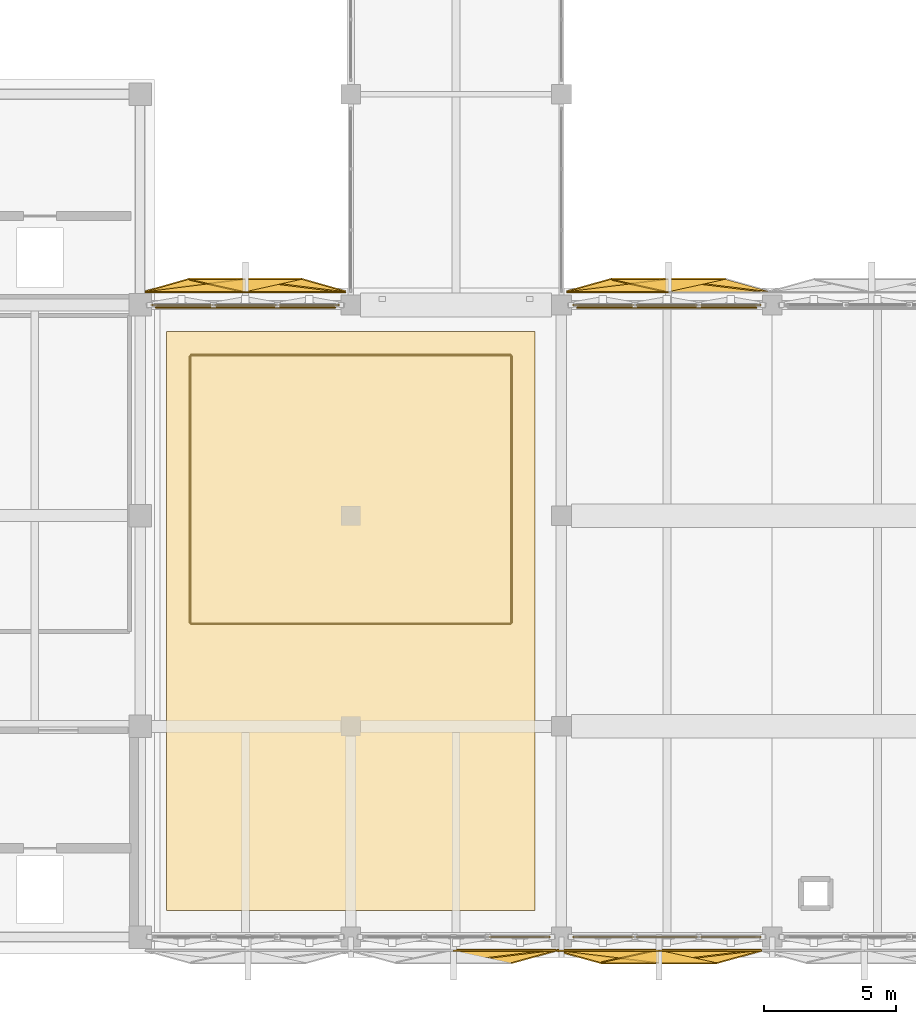
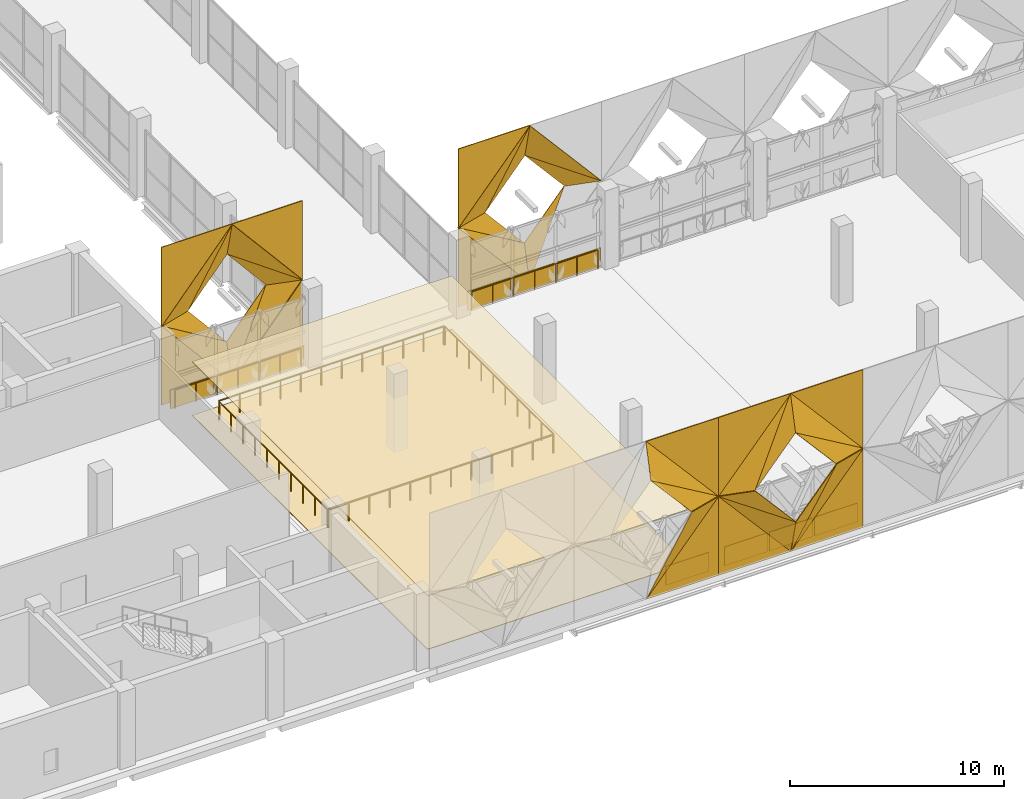
# One storey, part 44 of 53: 50 coverings, 6 railings.
"""IFC4 building model written with IfcOpenShell, lengths in metres."""

from ifc_helpers import new_model, si_unit, direction, frame, origin, origin_2d, place, context, subcontext, project, spatial, polyline, rectangle, circle, outline, extrude, material, layer, layer_set, type_object, element, save


model = new_model("IFC4")

# Units and contexts
model_context = context("Model", 3, precision=1e-05, world=origin(), true_north=direction((0.0, 1.0)))
body_context = subcontext(model_context, "Body", "Model", "MODEL_VIEW")
ifc_project = project(units=[si_unit("LENGTHUNIT", "METRE"), si_unit("AREAUNIT", "SQUARE_METRE"), si_unit("VOLUMEUNIT", "CUBIC_METRE"), si_unit("PLANEANGLEUNIT", "RADIAN"), si_unit("MASSUNIT", "GRAM", prefix="KILO")], contexts=[model_context])

# Site, building, storey
site_placement = place(None, origin())
site = spatial("IfcSite", under=ifc_project, at=site_placement, CompositionType="ELEMENT")
building_placement = place(site_placement, origin())
building = spatial("IfcBuilding", under=site, at=building_placement, Name="Qorikala Patio Media Centre", CompositionType="ELEMENT")
storey_placement = place(building_placement, frame((0.0, 0.0, 5.39990234375)))
storey = spatial("IfcBuildingStorey", under=building, at=storey_placement, Name="L01", CompositionType="ELEMENT", Elevation=5.39990234375)

# Coverings
ifc_material_1 = material(Name="Perforated Andean Timber Acoustic Ceiling", Category="wood")
ifc_layer_1 = layer(ifc_material_1, 0.0400390625)
ifc_layer_set_1 = layer_set([ifc_layer_1], Name="Perforated Andean Timber Acoustic Ceiling")
covering_type_1 = type_object("IfcCoveringType", Name="COV-CEIL-AC", PredefinedType="CEILING", material=ifc_layer_set_1)
covering_1_placement = place(storey_placement, frame((0.0, 0.0, 3.050048828125)))
element("IfcCovering", 1, at=covering_1_placement, inside=storey, type_object=covering_type_1, Name="L01 Acoustic Timber Ceiling 03", PredefinedType="CEILING", context=body_context, shape_type="SweptSolid", body=[
    extrude(outline(polyline([(44.0, 4.0), (58.0, 4.0), (58.0, 26.0), (44.0, 26.0), (44.0, 4.0)])), origin(), (0.0, 0.0, 1.0), 0.0400390625),
])
ifc_material_2 = material(Name="Golden Bronze Anodised Aluminium Panel", Category="aluminium")
ifc_layer_2 = layer(ifc_material_2, 0.044921875)
ifc_layer_set_2 = layer_set([ifc_layer_2], Name="Golden Bronze Anodised Aluminium Panel")
covering_type_2 = type_object("IfcCoveringType", Name="COV-CLAD-GOLD", PredefinedType="CLADDING", material=ifc_layer_set_2)
for number, where, z_axis, x_axis, name in (
    (2, (44.5732421875, 27.0, 0.0), (0.0, 0.0, 1.0), (1.0, 0.0, 0.0), "L01 Golden Diamond Fold Spandrel 007"),
    (3, (47.0, 27.0, 0.0), (0.0, 0.0, 1.0), (1.0, 0.0, 0.0), "L01 Golden Diamond Fold Spandrel 008"),
    (4, (49.4267578125, 27.0, 0.0), (0.0, 0.0, 1.0), (1.0, 0.0, 0.0), "L01 Golden Diamond Fold Spandrel 009"),
    (5, (60.5732421875, 27.0, 0.0), (0.0, 0.0, 1.0), (1.0, 0.0, 0.0), "L01 Golden Diamond Fold Spandrel 010"),
    (6, (63.0, 27.0, 0.0), (0.0, 0.0, 1.0), (1.0, 0.0, 0.0), "L01 Golden Diamond Fold Spandrel 011"),
    (7, (65.4267578125, 27.0, 0.0), (0.0, 0.0, 1.0), (1.0, 0.0, 0.0), "L01 Golden Diamond Fold Spandrel 012"),
    (8, (65.4267578125, 3.0, 0.0), (0.0, 0.0, 1.0), (-1.0, 0.0, 0.0), "L01 Golden Diamond Fold Spandrel 031"),
    (9, (63.0, 3.0, 0.0), (0.0, 0.0, 1.0), (-1.0, 0.0, 0.0), "L01 Golden Diamond Fold Spandrel 032"),
    (10, (60.5732421875, 3.0, 0.0), (0.0, 0.0, 1.0), (-1.0, 0.0, 0.0), "L01 Golden Diamond Fold Spandrel 033"),
    (11, (57.4267578125, 3.0, 0.0), (0.0, 0.0, 1.0), (-1.0, 0.0, 0.0), "L01 Golden Diamond Fold Spandrel 034"),
):
    element("IfcCovering", number, at=place(storey_placement, frame(where, z_axis=z_axis, x_axis=x_axis)), inside=storey, type_object=covering_type_2, Name=name, PredefinedType="CLADDING", context=body_context, shape_type="SweptSolid", body=[
        extrude(rectangle(XDim=2.32666015625, YDim=0.044921875, at=origin_2d()), origin(), (0.0, 0.0, 1.0), 1.077880859375),
    ])
covering_2_placement = place(storey_placement, frame((58.800048828125, 2.5, 4.5), z_axis=(0.259958417044, -0.938966952181, 0.22530575696), x_axis=(-0.654944585876, 0.0, 0.755676908098)))
element("IfcCovering", 12, at=covering_2_placement, inside=storey, type_object=covering_type_2, Name="Golden Folded Diamond Facet S-1.2.TRA", PredefinedType="CLADDING", context=body_context, shape_type="SweptSolid", body=[
    extrude(outline(polyline([(0.0, 0.0), (5.954925910503226, 0.0), (4.458700391784378, 1.3810682954655882), (0.0, 0.0)])), origin(), (0.0, 0.0, -1.0), 0.044921875),
])
covering_3_placement = place(storey_placement, frame((58.800048828125, 2.5, 4.5), z_axis=(0.259956258476, -0.938968417692, 0.225302139927), x_axis=(-0.835561894446, -0.101784253308, 0.539885438152)))
element("IfcCovering", 13, at=covering_3_placement, inside=storey, type_object=covering_type_2, Name="Golden Folded Diamond Facet S-1.2.TRB", PredefinedType="CLADDING", context=body_context, shape_type="SweptSolid", body=[
    extrude(outline(polyline([(0.0, 0.0), (4.667693094071031, 8.881784197001252e-16), (1.4822355256344402, 0.9866979460810914), (0.0, 0.0)])), origin(), (0.0, 0.0, -1.0), 0.044921875),
])
covering_4_placement = place(storey_placement, frame((54.89990234375, 2.5, 0.0), z_axis=(-0.259956156203, 0.938968048279, 0.22530379749), x_axis=(0.654944585876, 0.0, 0.755676908098)))
element("IfcCovering", 14, at=covering_4_placement, inside=storey, type_object=covering_type_2, Name="Golden Folded Diamond Facet S-1.2.BRA", PredefinedType="CLADDING", context=body_context, shape_type="SweptSolid", body=[
    extrude(outline(polyline([(0.0, 0.0), (5.954925910503226, 0.0), (4.830998787915266, -1.3810803066312252), (0.0, 0.0)])), origin(), (0.0, 0.0, -1.0), 0.044921875),
])
covering_5_placement = place(storey_placement, frame((58.800048828125, 2.5, 9.0), z_axis=(0.0, 1.0, 0.0), x_axis=(0.0, 0.0, -1.0)))
element("IfcCovering", 15, at=covering_5_placement, inside=storey, type_object=covering_type_2, Name="Golden Diamond Valley Spandrel S-1.2.CTR", PredefinedType="CLADDING", context=body_context, shape_type="SweptSolid", body=[
    extrude(outline(polyline([(0.0, 0.0), (4.5, 0.0), (0.0, 3.900146484375), (0.0, 0.0)])), origin(), (0.0, 0.0, -1.0), 0.044921875),
])
covering_6_placement = place(storey_placement, frame((58.800048828125, 2.5, 0.0), z_axis=(0.0, 1.0, 0.0), x_axis=(-1.0, 0.0, 0.0)))
element("IfcCovering", 16, at=covering_6_placement, inside=storey, type_object=covering_type_2, Name="Golden Diamond Valley Spandrel S-1.2.CBR", PredefinedType="CLADDING", context=body_context, shape_type="SweptSolid", body=[
    extrude(outline(polyline([(0.0, 0.0), (3.900146484375, 0.0), (0.0, 4.5), (0.0, 0.0)])), origin(), (0.0, 0.0, -1.0), 0.044921875),
])
covering_7_placement = place(storey_placement, frame((62.699951171875, 2.5, 9.0), z_axis=(-0.259956982212, -0.938971031843, 0.225290409823), x_axis=(-0.654921173069, 0.0, -0.755697199324)))
element("IfcCovering", 17, at=covering_7_placement, inside=storey, type_object=covering_type_2, Name="Golden Folded Diamond Facet S-1.3.TLA", PredefinedType="CLADDING", context=body_context, shape_type="SweptSolid", body=[
    extrude(outline(polyline([(0.0, 0.0), (5.9547660147806605, 4.440892098500626e-16), (4.830879070078474, 1.38111300253869), (0.0, 0.0)])), origin(), (0.0, 0.0, -1.0), 0.044921875),
])
covering_8_placement = place(storey_placement, frame((62.699951171875, 2.5, 9.0), z_axis=(-0.259987393467, -0.938959366186, 0.225303936695), x_axis=(-0.434644175798, -0.094557581454, -0.895624533069)))
element("IfcCovering", 18, at=covering_8_placement, inside=storey, type_object=covering_type_2, Name="Golden Folded Diamond Facet S-1.3.TLB", PredefinedType="CLADDING", context=body_context, shape_type="SweptSolid", body=[
    extrude(outline(polyline([(0.0, 0.0), (5.02442690418556, 2.220446049250313e-16), (1.8182431681390123, 0.9165327168855022), (0.0, 0.0)])), origin(), (0.0, 0.0, -1.0), 0.044921875),
])
covering_9_placement = place(storey_placement, frame((66.60009765625, 2.5, 4.5), z_axis=(0.259958417044, -0.938966952181, 0.22530575696), x_axis=(-0.654944585876, 0.0, 0.755676908098)))
element("IfcCovering", 19, at=covering_9_placement, inside=storey, type_object=covering_type_2, Name="Golden Folded Diamond Facet S-1.3.TRA", PredefinedType="CLADDING", context=body_context, shape_type="SweptSolid", body=[
    extrude(outline(polyline([(0.0, 0.0), (5.954925910503226, 0.0), (4.458700391784378, 1.3810682954655882), (0.0, 0.0)])), origin(), (0.0, 0.0, -1.0), 0.044921875),
])
covering_10_placement = place(storey_placement, frame((66.60009765625, 2.5, 4.5), z_axis=(0.259956258476, -0.938968417692, 0.225302139927), x_axis=(-0.835561894446, -0.101784253308, 0.539885438152)))
element("IfcCovering", 20, at=covering_10_placement, inside=storey, type_object=covering_type_2, Name="Golden Folded Diamond Facet S-1.3.TRB", PredefinedType="CLADDING", context=body_context, shape_type="SweptSolid", body=[
    extrude(outline(polyline([(0.0, 0.0), (4.667693094071031, 8.881784197001252e-16), (1.4822355256344402, 0.9866979460810914), (0.0, 0.0)])), origin(), (0.0, 0.0, -1.0), 0.044921875),
])
covering_11_placement = place(storey_placement, frame((62.699951171875, 2.5, 0.0), z_axis=(-0.259956156203, 0.938968048279, 0.22530379749), x_axis=(0.654944585876, 0.0, 0.755676908098)))
element("IfcCovering", 21, at=covering_11_placement, inside=storey, type_object=covering_type_2, Name="Golden Folded Diamond Facet S-1.3.BRA", PredefinedType="CLADDING", context=body_context, shape_type="SweptSolid", body=[
    extrude(outline(polyline([(0.0, 0.0), (5.954925910503226, 0.0), (4.830998787915266, -1.3810803066312252), (0.0, 0.0)])), origin(), (0.0, 0.0, -1.0), 0.044921875),
])
covering_12_placement = place(storey_placement, frame((62.699951171875, 2.5, 0.0), z_axis=(-0.259960295692, 0.938966460381, 0.225305638952), x_axis=(0.434683585743, -0.094555584379, 0.895605617305)))
element("IfcCovering", 22, at=covering_12_placement, inside=storey, type_object=covering_type_2, Name="Golden Folded Diamond Facet S-1.3.BRB", PredefinedType="CLADDING", context=body_context, shape_type="SweptSolid", body=[
    extrude(outline(polyline([(0.0, 0.0), (5.024533023297128, 0.0), (1.8182047664907954, -0.9166088951760534), (0.0, 0.0)])), origin(), (0.0, 0.0, -1.0), 0.044921875),
])
covering_13_placement = place(storey_placement, frame((58.800048828125, 2.5, 4.5), z_axis=(0.259973591034, 0.938962979761, 0.225304803775), x_axis=(0.654921173069, 0.0, -0.755697199324)))
element("IfcCovering", 23, at=covering_13_placement, inside=storey, type_object=covering_type_2, Name="Golden Folded Diamond Facet S-1.3.BLA", PredefinedType="CLADDING", context=body_context, shape_type="SweptSolid", body=[
    extrude(outline(polyline([(0.0, 0.0), (5.9547660147806605, 4.440892098500626e-16), (4.458500319829892, -1.3810247679600853), (0.0, 0.0)])), origin(), (0.0, 0.0, -1.0), 0.044921875),
])
covering_14_placement = place(storey_placement, frame((58.800048828125, 2.5, 4.5), z_axis=(0.25995773344, 0.938973745299, 0.225278233445), x_axis=(0.83554610606, -0.10178870179, -0.539909033852)))
element("IfcCovering", 24, at=covering_14_placement, inside=storey, type_object=covering_type_2, Name="Golden Folded Diamond Facet S-1.3.BLB", PredefinedType="CLADDING", context=body_context, shape_type="SweptSolid", body=[
    extrude(outline(polyline([(0.0, 0.0), (4.667489101395145, 4.440892098500626e-16), (1.4822105452103993, -0.9867354710967576), (0.0, 0.0)])), origin(), (0.0, 0.0, -1.0), 0.044921875),
])
covering_15_placement = place(storey_placement, frame((58.800048828125, 2.5, 9.0), z_axis=(0.0, 1.0, 0.0), x_axis=(1.0, 0.0, 0.0)))
element("IfcCovering", 25, at=covering_15_placement, inside=storey, type_object=covering_type_2, Name="Golden Diamond Valley Spandrel S-1.3.CTL", PredefinedType="CLADDING", context=body_context, shape_type="SweptSolid", body=[
    extrude(outline(polyline([(0.0, 0.0), (3.89990234375, 0.0), (0.0, 4.5), (0.0, 0.0)])), origin(), (0.0, 0.0, -1.0), 0.044921875),
])
covering_16_placement = place(storey_placement, frame((66.60009765625, 2.5, 9.0), z_axis=(0.0, 1.0, 0.0), x_axis=(0.0, 0.0, -1.0)))
element("IfcCovering", 26, at=covering_16_placement, inside=storey, type_object=covering_type_2, Name="Golden Diamond Valley Spandrel S-1.3.CTR", PredefinedType="CLADDING", context=body_context, shape_type="SweptSolid", body=[
    extrude(outline(polyline([(0.0, 0.0), (4.5, 0.0), (0.0, 3.900146484375), (0.0, 0.0)])), origin(), (0.0, 0.0, -1.0), 0.044921875),
])
covering_17_placement = place(storey_placement, frame((66.60009765625, 2.5, 0.0), z_axis=(0.0, 1.0, 0.0), x_axis=(-1.0, 0.0, 0.0)))
element("IfcCovering", 27, at=covering_17_placement, inside=storey, type_object=covering_type_2, Name="Golden Diamond Valley Spandrel S-1.3.CBR", PredefinedType="CLADDING", context=body_context, shape_type="SweptSolid", body=[
    extrude(outline(polyline([(0.0, 0.0), (3.900146484375, 0.0), (0.0, 4.5), (0.0, 0.0)])), origin(), (0.0, 0.0, -1.0), 0.044921875),
])
covering_18_placement = place(storey_placement, frame((58.800048828125, 2.5, 0.0), z_axis=(0.0, 1.0, 0.0), x_axis=(0.0, 0.0, 1.0)))
element("IfcCovering", 28, at=covering_18_placement, inside=storey, type_object=covering_type_2, Name="Golden Diamond Valley Spandrel S-1.3.CBL", PredefinedType="CLADDING", context=body_context, shape_type="SweptSolid", body=[
    extrude(outline(polyline([(0.0, 0.0), (4.5, 0.0), (0.0, 3.89990234375), (0.0, 0.0)])), origin(), (0.0, 0.0, -1.0), 0.044921875),
])
covering_19_placement = place(storey_placement, frame((63.06005859375, 27.5, 9.0), z_axis=(-0.262462378719, 0.93830974756, 0.225140661346), x_axis=(-0.651079578851, 0.0, -0.759009474251)))
element("IfcCovering", 29, at=covering_19_placement, inside=storey, type_object=covering_type_2, Name="Golden Folded Diamond Facet N-1.1.TLA", PredefinedType="CLADDING", context=body_context, shape_type="SweptSolid", body=[
    extrude(outline(polyline([(0.0, 0.0), (5.928779748684755, 0.0), (4.822929985484664, -1.373924994689336), (0.0, 0.0)])), origin(), (0.0, 0.0, -1.0), 0.044921875),
])
covering_20_placement = place(storey_placement, frame((63.06005859375, 27.5, 9.0), z_axis=(-0.262476283203, 0.938304391158, 0.225146774993), x_axis=(-0.431047420192, 0.094738906674, -0.897341997851)))
element("IfcCovering", 30, at=covering_20_placement, inside=storey, type_object=covering_type_2, Name="Golden Folded Diamond Facet N-1.1.TLB", PredefinedType="CLADDING", context=body_context, shape_type="SweptSolid", body=[
    extrude(outline(polyline([(0.0, 0.0), (5.014810418741589, 0.0), (1.8217298620516404, -0.9095827336284614), (0.0, 0.0)])), origin(), (0.0, 0.0, -1.0), 0.044921875),
])
covering_21_placement = place(storey_placement, frame((66.919921875, 27.5, 4.5), z_axis=(0.26248543046, 0.938301971613, 0.225146194422), x_axis=(-0.651055854923, 0.0, 0.759029824032)))
element("IfcCovering", 31, at=covering_21_placement, inside=storey, type_object=covering_type_2, Name="Golden Folded Diamond Facet N-1.1.TRA", PredefinedType="CLADDING", context=body_context, shape_type="SweptSolid", body=[
    extrude(outline(polyline([(0.0, 0.0), (5.928620796605397, 0.0), (4.425756569823238, -1.3738411682083829), (0.0, 0.0)])), origin(), (0.0, 0.0, -1.0), 0.044921875),
])
covering_22_placement = place(storey_placement, frame((66.919921875, 27.5, 4.5), z_axis=(0.262495941529, 0.938294845466, 0.225163637502), x_axis=(-0.832928561936, 0.102522389723, 0.543800671493)))
element("IfcCovering", 32, at=covering_22_placement, inside=storey, type_object=covering_type_2, Name="Golden Folded Diamond Facet N-1.1.TRB", PredefinedType="CLADDING", context=body_context, shape_type="SweptSolid", body=[
    extrude(outline(polyline([(0.0, 0.0), (4.634086832462004, -4.440892098500626e-16), (1.463222570124503, -0.9842377866436913), (0.0, 0.0)])), origin(), (0.0, 0.0, -1.0), 0.044921875),
])
covering_23_placement = place(storey_placement, frame((63.06005859375, 27.5, 0.0), z_axis=(-0.262476283203, -0.938304391158, 0.225146774993), x_axis=(0.431047420192, 0.094738906674, 0.897341997851)))
element("IfcCovering", 33, at=covering_23_placement, inside=storey, type_object=covering_type_2, Name="Golden Folded Diamond Facet N-1.1.BRB", PredefinedType="CLADDING", context=body_context, shape_type="SweptSolid", body=[
    extrude(outline(polyline([(0.0, 0.0), (5.014810418741589, 0.0), (1.8217298620516404, 0.9095827336284614), (0.0, 0.0)])), origin(), (0.0, 0.0, -1.0), 0.044921875),
])
covering_24_placement = place(storey_placement, frame((59.199951171875, 27.5, 4.5), z_axis=(0.262469972732, -0.93830606029, 0.225147175502), x_axis=(0.651079578851, 0.0, -0.759009474251)))
element("IfcCovering", 34, at=covering_24_placement, inside=storey, type_object=covering_type_2, Name="Golden Folded Diamond Facet N-1.1.BLA", PredefinedType="CLADDING", context=body_context, shape_type="SweptSolid", body=[
    extrude(outline(polyline([(0.0, 0.0), (5.928779748684755, 4.440892098500626e-16), (4.4259558140712985, 1.3738852430820574), (0.0, 0.0)])), origin(), (0.0, 0.0, -1.0), 0.044921875),
])
covering_25_placement = place(storey_placement, frame((59.199951171875, 27.5, 4.5), z_axis=(0.262462722231, -0.938310975623, 0.225135142669), x_axis=(0.83294469419, 0.102517891019, -0.5437768094)))
element("IfcCovering", 35, at=covering_25_placement, inside=storey, type_object=covering_type_2, Name="Golden Folded Diamond Facet N-1.1.BLB", PredefinedType="CLADDING", context=body_context, shape_type="SweptSolid", body=[
    extrude(outline(polyline([(0.0, 0.0), (4.634290186131008, -4.440892098500626e-16), (1.4634511849127112, 0.9843191653012606), (0.0, 0.0)])), origin(), (0.0, 0.0, -1.0), 0.044921875),
])
covering_26_placement = place(storey_placement, frame((59.199951171875, 27.5, 9.0), z_axis=(0.0, 1.0, 0.0), x_axis=(1.0, 0.0, 0.0)))
element("IfcCovering", 36, at=covering_26_placement, inside=storey, type_object=covering_type_2, Name="Golden Diamond Valley Spandrel N-1.1.CTL", PredefinedType="CLADDING", context=body_context, shape_type="SweptSolid", body=[
    extrude(outline(polyline([(0.0, 0.0), (3.860107421875, 0.0), (0.0, 4.5), (0.0, 0.0)])), origin(), (0.0, 0.0, -1.0), 0.044921875),
])
covering_27_placement = place(storey_placement, frame((59.199951171875, 27.5, 0.0), z_axis=(0.0, 1.0, 0.0), x_axis=(0.0, 0.0, 1.0)))
element("IfcCovering", 37, at=covering_27_placement, inside=storey, type_object=covering_type_2, Name="Golden Diamond Valley Spandrel N-1.1.CBL", PredefinedType="CLADDING", context=body_context, shape_type="SweptSolid", body=[
    extrude(outline(polyline([(0.0, 0.0), (4.5, 0.0), (0.0, 3.860107421875), (0.0, 0.0)])), origin(), (0.0, 0.0, -1.0), 0.044921875),
])
covering_28_placement = place(storey_placement, frame((47.0, 27.5, 9.0), z_axis=(-0.266310151907, 0.937285832689, 0.224887017927), x_axis=(-0.645185657155, 0.0, -0.764025829276)))
element("IfcCovering", 38, at=covering_28_placement, inside=storey, type_object=covering_type_2, Name="Golden Folded Diamond Facet NW-1.1.TLA", PredefinedType="CLADDING", context=body_context, shape_type="SweptSolid", body=[
    extrude(outline(polyline([(0.0, 0.0), (5.889853232138657, 4.440892098500626e-16), (4.811025945552745, -1.3630230699208319), (0.0, 0.0)])), origin(), (0.0, 0.0, -1.0), 0.044921875),
])
covering_29_placement = place(storey_placement, frame((47.0, 27.5, 9.0), z_axis=(-0.266339397274, 0.937274491768, 0.224899649936), x_axis=(-0.425553575058, 0.095012305767, -0.899931562125)))
element("IfcCovering", 39, at=covering_29_placement, inside=storey, type_object=covering_type_2, Name="Golden Folded Diamond Facet NW-1.1.TLB", PredefinedType="CLADDING", context=body_context, shape_type="SweptSolid", body=[
    extrude(outline(polyline([(0.0, 0.0), (5.000380239333614, 0.0), (1.826987040002926, -0.8989765265384069), (0.0, 0.0)])), origin(), (0.0, 0.0, -1.0), 0.044921875),
])
covering_30_placement = place(storey_placement, frame((50.800048828125, 27.5, 4.5), z_axis=(0.266326124041, 0.937278058101, 0.22490050568), x_axis=(-0.645185657155, 0.0, 0.764025829276)))
element("IfcCovering", 40, at=covering_30_placement, inside=storey, type_object=covering_type_2, Name="Golden Folded Diamond Facet NW-1.1.TRA", PredefinedType="CLADDING", context=body_context, shape_type="SweptSolid", body=[
    extrude(outline(polyline([(0.0, 0.0), (5.889853232138657, 4.440892098500626e-16), (4.377097012551207, -1.3629413265820354), (0.0, 0.0)])), origin(), (0.0, 0.0, -1.0), 0.044921875),
])
covering_31_placement = place(storey_placement, frame((50.800048828125, 27.5, 4.5), z_axis=(0.266310874344, 0.937288375326, 0.224875564889), x_axis=(-0.82891133566, 0.103633887517, 0.549696293395)))
element("IfcCovering", 41, at=covering_31_placement, inside=storey, type_object=covering_type_2, Name="Golden Folded Diamond Facet NW-1.1.TRB", PredefinedType="CLADDING", context=body_context, shape_type="SweptSolid", body=[
    extrude(outline(polyline([(0.0, 0.0), (4.584385162373456, -4.440892098500626e-16), (1.4352747273060922, -0.9806562397574161), (0.0, 0.0)])), origin(), (0.0, 0.0, -1.0), 0.044921875),
])
covering_32_placement = place(storey_placement, frame((47.0, 27.5, 0.0), z_axis=(-0.266310151907, -0.937285832689, 0.224887017927), x_axis=(0.645185657155, 0.0, 0.764025829276)))
element("IfcCovering", 42, at=covering_32_placement, inside=storey, type_object=covering_type_2, Name="Golden Folded Diamond Facet NW-1.1.BRA", PredefinedType="CLADDING", context=body_context, shape_type="SweptSolid", body=[
    extrude(outline(polyline([(0.0, 0.0), (5.889853232138657, -4.440892098500626e-16), (4.811025945552745, 1.3630230699208319), (0.0, 0.0)])), origin(), (0.0, 0.0, -1.0), 0.044921875),
])
covering_33_placement = place(storey_placement, frame((47.0, 27.5, 0.0), z_axis=(-0.266339397274, -0.937274491768, 0.224899649936), x_axis=(0.425553575058, 0.095012305767, 0.899931562125)))
element("IfcCovering", 43, at=covering_33_placement, inside=storey, type_object=covering_type_2, Name="Golden Folded Diamond Facet NW-1.1.BRB", PredefinedType="CLADDING", context=body_context, shape_type="SweptSolid", body=[
    extrude(outline(polyline([(0.0, 0.0), (5.000380239333614, 0.0), (1.826987040002926, 0.8989765265384069), (0.0, 0.0)])), origin(), (0.0, 0.0, -1.0), 0.044921875),
])
covering_34_placement = place(storey_placement, frame((43.199951171875, 27.5, 4.5), z_axis=(0.266326124041, -0.937278058101, 0.22490050568), x_axis=(0.645185657155, 0.0, -0.764025829276)))
element("IfcCovering", 44, at=covering_34_placement, inside=storey, type_object=covering_type_2, Name="Golden Folded Diamond Facet NW-1.1.BLA", PredefinedType="CLADDING", context=body_context, shape_type="SweptSolid", body=[
    extrude(outline(polyline([(0.0, 0.0), (5.889853232138657, -4.440892098500626e-16), (4.377097012551207, 1.3629413265820354), (0.0, 0.0)])), origin(), (0.0, 0.0, -1.0), 0.044921875),
])
covering_35_placement = place(storey_placement, frame((43.199951171875, 27.5, 4.5), z_axis=(0.266310874344, -0.937288375326, 0.224875564889), x_axis=(0.82891133566, 0.103633887517, -0.549696293395)))
element("IfcCovering", 45, at=covering_35_placement, inside=storey, type_object=covering_type_2, Name="Golden Folded Diamond Facet NW-1.1.BLB", PredefinedType="CLADDING", context=body_context, shape_type="SweptSolid", body=[
    extrude(outline(polyline([(0.0, 0.0), (4.584385162373456, 4.440892098500626e-16), (1.4352747273060922, 0.9806562397574161), (0.0, 0.0)])), origin(), (0.0, 0.0, -1.0), 0.044921875),
])
covering_36_placement = place(storey_placement, frame((43.199951171875, 27.5, 9.0), z_axis=(0.0, 1.0, 0.0), x_axis=(1.0, 0.0, 0.0)))
element("IfcCovering", 46, at=covering_36_placement, inside=storey, type_object=covering_type_2, Name="Golden Diamond Valley Spandrel NW-1.1.CTL", PredefinedType="CLADDING", context=body_context, shape_type="SweptSolid", body=[
    extrude(outline(polyline([(0.0, 0.0), (3.800048828125, 0.0), (0.0, 4.5), (0.0, 0.0)])), origin(), (0.0, 0.0, -1.0), 0.044921875),
])
covering_37_placement = place(storey_placement, frame((50.800048828125, 27.5, 9.0), z_axis=(0.0, 1.0, 0.0), x_axis=(0.0, 0.0, -1.0)))
element("IfcCovering", 47, at=covering_37_placement, inside=storey, type_object=covering_type_2, Name="Golden Diamond Valley Spandrel NW-1.1.CTR", PredefinedType="CLADDING", context=body_context, shape_type="SweptSolid", body=[
    extrude(outline(polyline([(0.0, 0.0), (4.5, 0.0), (0.0, 3.800048828125), (0.0, 0.0)])), origin(), (0.0, 0.0, -1.0), 0.044921875),
])
covering_38_placement = place(storey_placement, frame((50.800048828125, 27.5, 0.0), z_axis=(0.0, 1.0, 0.0), x_axis=(-1.0, 0.0, 0.0)))
element("IfcCovering", 48, at=covering_38_placement, inside=storey, type_object=covering_type_2, Name="Golden Diamond Valley Spandrel NW-1.1.CBR", PredefinedType="CLADDING", context=body_context, shape_type="SweptSolid", body=[
    extrude(outline(polyline([(0.0, 0.0), (3.800048828125, 0.0), (0.0, 4.5), (0.0, 0.0)])), origin(), (0.0, 0.0, -1.0), 0.044921875),
])
covering_39_placement = place(storey_placement, frame((43.199951171875, 27.5, 0.0), z_axis=(0.0, 1.0, 0.0), x_axis=(0.0, 0.0, 1.0)))
element("IfcCovering", 49, at=covering_39_placement, inside=storey, type_object=covering_type_2, Name="Golden Diamond Valley Spandrel NW-1.1.CBL", PredefinedType="CLADDING", context=body_context, shape_type="SweptSolid", body=[
    extrude(outline(polyline([(0.0, 0.0), (4.5, 0.0), (0.0, 3.800048828125), (0.0, 0.0)])), origin(), (0.0, 0.0, -1.0), 0.044921875),
])
ifc_material_3 = material(Name="Honed Comanche Granite Flooring", Category="masonry")
ifc_layer_3 = layer(ifc_material_3, 0.034912109375)
ifc_layer_set_3 = layer_set([ifc_layer_3], Name="Honed Comanche Granite Flooring")
covering_type_3 = type_object("IfcCoveringType", Name="COV-FLOR-STONE", PredefinedType="FLOORING", material=ifc_layer_set_3)
covering_40_placement = place(storey_placement, origin())
element("IfcCovering", 50, at=covering_40_placement, inside=storey, type_object=covering_type_3, Name="L01 Honed Comanche Granite Flooring 03", PredefinedType="FLOORING", context=body_context, shape_type="SweptSolid", body=[
    extrude(outline(polyline([(44.0, 4.0), (58.0, 4.0), (58.0, 26.0), (44.0, 26.0), (44.0, 4.0)])), origin(), (0.0, 0.0, 1.0), 0.03515625),
])

# Railings
ifc_material_4 = material(Name="Spanish Colonial Wrought Bronze Balustrade")
railing_type_1 = type_object("IfcRailingType", Name="RL-BAL-110", PredefinedType="BALUSTRADE", material=ifc_material_4)
for number, where, name in (
    (51, (43.60009765625, 26.89990234375, 0.0), "L01 Colonial Patio Balustrade 01"),
    (52, (59.60009765625, 26.89990234375, 0.0), "L01 Colonial Patio Balustrade 02"),
):
    element("IfcRailing", number, at=place(storey_placement, frame(where)), inside=storey, type_object=railing_type_1, Name=name, PredefinedType="BALUSTRADE", context=body_context, shape_type="SweptSolid", body=[
        extrude(circle(Radius=0.02392578125, at=origin_2d()), frame((0.0, 0.0, 1.076171875), z_axis=(1.0, 0.0, 0.0), x_axis=(0.0, 1.0, 0.0)), (0.0, 0.0, 1.0), 6.7998046875),
        extrude(circle(Radius=0.02099609375, at=origin_2d()), origin(), (0.0, 0.0, 1.0), 1.052001953125),
        extrude(circle(Radius=0.02099609375, at=origin_2d()), frame((1.13330078125, 0.0, 0.0)), (0.0, 0.0, 1.0), 1.052001953125),
        extrude(circle(Radius=0.02099609375, at=origin_2d()), frame((2.2666015625, 0.0, 0.0)), (0.0, 0.0, 1.0), 1.052001953125),
        extrude(circle(Radius=0.02099609375, at=origin_2d()), frame((3.39990234375, 0.0, 0.0)), (0.0, 0.0, 1.0), 1.052001953125),
        extrude(circle(Radius=0.02099609375, at=origin_2d()), frame((4.533203125, 0.0, 0.0)), (0.0, 0.0, 1.0), 1.052001953125),
        extrude(circle(Radius=0.02099609375, at=origin_2d()), frame((5.66650390625, 0.0, 0.0)), (0.0, 0.0, 1.0), 1.052001953125),
        extrude(circle(Radius=0.02099609375, at=origin_2d()), frame((6.7998046875, 0.0, 0.0)), (0.0, 0.0, 1.0), 1.052001953125),
    ])
ifc_material_5 = material(Name="Wrought Bronze and Steel S355", Category="steel")
railing_type_2 = type_object("IfcRailingType", Name="RL-GUARD-110", PredefinedType="GUARDRAIL", material=ifc_material_5)
railing_1_placement = place(storey_placement, frame((44.93994140625, 14.89990234375, 0.0)))
element("IfcRailing", 53, at=railing_1_placement, inside=storey, type_object=railing_type_2, Name="L01 Rising Foyer Void Guardrail S", PredefinedType="GUARDRAIL", context=body_context, shape_type="SweptSolid", body=[
    extrude(circle(Radius=0.02392578125, at=origin_2d()), frame((0.0, 0.0, 1.076171875), z_axis=(1.0, 0.0, 0.0), x_axis=(0.0, 1.0, 0.0)), (0.0, 0.0, 1.0), 12.1201171875),
    extrude(circle(Radius=0.02099609375, at=origin_2d()), origin(), (0.0, 0.0, 1.0), 1.052001953125),
    extrude(circle(Radius=0.02099609375, at=origin_2d()), frame((1.101806640625, 0.0, 0.0)), (0.0, 0.0, 1.0), 1.052001953125),
    extrude(circle(Radius=0.02099609375, at=origin_2d()), frame((2.20361328125, 0.0, 0.0)), (0.0, 0.0, 1.0), 1.052001953125),
    extrude(circle(Radius=0.02099609375, at=origin_2d()), frame((3.305419921875, 0.0, 0.0)), (0.0, 0.0, 1.0), 1.052001953125),
    extrude(circle(Radius=0.02099609375, at=origin_2d()), frame((4.4072265625, 0.0, 0.0)), (0.0, 0.0, 1.0), 1.052001953125),
    extrude(circle(Radius=0.02099609375, at=origin_2d()), frame((5.509033203125, 0.0, 0.0)), (0.0, 0.0, 1.0), 1.052001953125),
    extrude(circle(Radius=0.02099609375, at=origin_2d()), frame((6.611083984375, 0.0, 0.0)), (0.0, 0.0, 1.0), 1.052001953125),
    extrude(circle(Radius=0.02099609375, at=origin_2d()), frame((7.712890625, 0.0, 0.0)), (0.0, 0.0, 1.0), 1.052001953125),
    extrude(circle(Radius=0.02099609375, at=origin_2d()), frame((8.814697265625, 0.0, 0.0)), (0.0, 0.0, 1.0), 1.052001953125),
    extrude(circle(Radius=0.02099609375, at=origin_2d()), frame((9.91650390625, 0.0, 0.0)), (0.0, 0.0, 1.0), 1.052001953125),
    extrude(circle(Radius=0.02099609375, at=origin_2d()), frame((11.018310546875, 0.0, 0.0)), (0.0, 0.0, 1.0), 1.052001953125),
    extrude(circle(Radius=0.02099609375, at=origin_2d()), frame((12.1201171875, 0.0, 0.0)), (0.0, 0.0, 1.0), 1.052001953125),
])
railing_2_placement = place(storey_placement, frame((57.10009765625, 14.93994140625, 0.0)))
element("IfcRailing", 54, at=railing_2_placement, inside=storey, type_object=railing_type_2, Name="L01 Rising Foyer Void Guardrail E", PredefinedType="GUARDRAIL", context=body_context, shape_type="SweptSolid", body=[
    extrude(circle(Radius=0.02392578125, at=origin_2d()), frame((0.0, 0.0, 1.076171875), z_axis=(0.0, 1.0, 0.0), x_axis=(-1.0, 0.0, 0.0)), (0.0, 0.0, 1.0), 10.1201171875),
    extrude(circle(Radius=0.02099609375, at=origin_2d()), origin(), (0.0, 0.0, 1.0), 1.052001953125),
    extrude(circle(Radius=0.02099609375, at=origin_2d()), frame((0.0, 1.12451171875, 0.0)), (0.0, 0.0, 1.0), 1.052001953125),
    extrude(circle(Radius=0.02099609375, at=origin_2d()), frame((0.0, 2.2490234375, 0.0)), (0.0, 0.0, 1.0), 1.052001953125),
    extrude(circle(Radius=0.02099609375, at=origin_2d()), frame((0.0, 3.373291015625, 0.0)), (0.0, 0.0, 1.0), 1.052001953125),
    extrude(circle(Radius=0.02099609375, at=origin_2d()), frame((0.0, 4.497802734375, 0.0)), (0.0, 0.0, 1.0), 1.052001953125),
    extrude(circle(Radius=0.02099609375, at=origin_2d()), frame((0.0, 5.622314453125, 0.0)), (0.0, 0.0, 1.0), 1.052001953125),
    extrude(circle(Radius=0.02099609375, at=origin_2d()), frame((0.0, 6.746826171875, 0.0)), (0.0, 0.0, 1.0), 1.052001953125),
    extrude(circle(Radius=0.02099609375, at=origin_2d()), frame((0.0, 7.87109375, 0.0)), (0.0, 0.0, 1.0), 1.052001953125),
    extrude(circle(Radius=0.02099609375, at=origin_2d()), frame((0.0, 8.99560546875, 0.0)), (0.0, 0.0, 1.0), 1.052001953125),
    extrude(circle(Radius=0.02099609375, at=origin_2d()), frame((0.0, 10.1201171875, 0.0)), (0.0, 0.0, 1.0), 1.052001953125),
])
railing_3_placement = place(storey_placement, frame((57.06005859375, 25.10009765625, 0.0)))
element("IfcRailing", 55, at=railing_3_placement, inside=storey, type_object=railing_type_2, Name="L01 Rising Foyer Void Guardrail N", PredefinedType="GUARDRAIL", context=body_context, shape_type="SweptSolid", body=[
    extrude(circle(Radius=0.02392578125, at=origin_2d()), frame((0.0, 0.0, 1.076171875), z_axis=(-1.0, 0.0, 0.0), x_axis=(0.0, -1.0, 0.0)), (0.0, 0.0, 1.0), 12.1201171875),
    extrude(circle(Radius=0.02099609375, at=origin_2d()), origin(), (0.0, 0.0, 1.0), 1.052001953125),
    extrude(circle(Radius=0.02099609375, at=origin_2d()), frame((-1.101806640625, 0.0, 0.0)), (0.0, 0.0, 1.0), 1.052001953125),
    extrude(circle(Radius=0.02099609375, at=origin_2d()), frame((-2.20361328125, 0.0, 0.0)), (0.0, 0.0, 1.0), 1.052001953125),
    extrude(circle(Radius=0.02099609375, at=origin_2d()), frame((-3.305419921875, 0.0, 0.0)), (0.0, 0.0, 1.0), 1.052001953125),
    extrude(circle(Radius=0.02099609375, at=origin_2d()), frame((-4.4072265625, 0.0, 0.0)), (0.0, 0.0, 1.0), 1.052001953125),
    extrude(circle(Radius=0.02099609375, at=origin_2d()), frame((-5.509033203125, 0.0, 0.0)), (0.0, 0.0, 1.0), 1.052001953125),
    extrude(circle(Radius=0.02099609375, at=origin_2d()), frame((-6.611083984375, 0.0, 0.0)), (0.0, 0.0, 1.0), 1.052001953125),
    extrude(circle(Radius=0.02099609375, at=origin_2d()), frame((-7.712890625, 0.0, 0.0)), (0.0, 0.0, 1.0), 1.052001953125),
    extrude(circle(Radius=0.02099609375, at=origin_2d()), frame((-8.814697265625, 0.0, 0.0)), (0.0, 0.0, 1.0), 1.052001953125),
    extrude(circle(Radius=0.02099609375, at=origin_2d()), frame((-9.91650390625, 0.0, 0.0)), (0.0, 0.0, 1.0), 1.052001953125),
    extrude(circle(Radius=0.02099609375, at=origin_2d()), frame((-11.018310546875, 0.0, 0.0)), (0.0, 0.0, 1.0), 1.052001953125),
    extrude(circle(Radius=0.02099609375, at=origin_2d()), frame((-12.1201171875, 0.0, 0.0)), (0.0, 0.0, 1.0), 1.052001953125),
])
railing_4_placement = place(storey_placement, frame((44.89990234375, 25.06005859375, 0.0)))
element("IfcRailing", 56, at=railing_4_placement, inside=storey, type_object=railing_type_2, Name="L01 Rising Foyer Void Guardrail W", PredefinedType="GUARDRAIL", context=body_context, shape_type="SweptSolid", body=[
    extrude(circle(Radius=0.02392578125, at=origin_2d()), frame((0.0, 0.0, 1.076171875), z_axis=(0.0, -1.0, 0.0), x_axis=(1.0, 0.0, 0.0)), (0.0, 0.0, 1.0), 10.1201171875),
    extrude(circle(Radius=0.02099609375, at=origin_2d()), origin(), (0.0, 0.0, 1.0), 1.052001953125),
    extrude(circle(Radius=0.02099609375, at=origin_2d()), frame((0.0, -1.12451171875, 0.0)), (0.0, 0.0, 1.0), 1.052001953125),
    extrude(circle(Radius=0.02099609375, at=origin_2d()), frame((0.0, -2.2490234375, 0.0)), (0.0, 0.0, 1.0), 1.052001953125),
    extrude(circle(Radius=0.02099609375, at=origin_2d()), frame((0.0, -3.373291015625, 0.0)), (0.0, 0.0, 1.0), 1.052001953125),
    extrude(circle(Radius=0.02099609375, at=origin_2d()), frame((0.0, -4.497802734375, 0.0)), (0.0, 0.0, 1.0), 1.052001953125),
    extrude(circle(Radius=0.02099609375, at=origin_2d()), frame((0.0, -5.622314453125, 0.0)), (0.0, 0.0, 1.0), 1.052001953125),
    extrude(circle(Radius=0.02099609375, at=origin_2d()), frame((0.0, -6.746826171875, 0.0)), (0.0, 0.0, 1.0), 1.052001953125),
    extrude(circle(Radius=0.02099609375, at=origin_2d()), frame((0.0, -7.87109375, 0.0)), (0.0, 0.0, 1.0), 1.052001953125),
    extrude(circle(Radius=0.02099609375, at=origin_2d()), frame((0.0, -8.99560546875, 0.0)), (0.0, 0.0, 1.0), 1.052001953125),
    extrude(circle(Radius=0.02099609375, at=origin_2d()), frame((0.0, -10.1201171875, 0.0)), (0.0, 0.0, 1.0), 1.052001953125),
])

save(model, "model.ifc")
